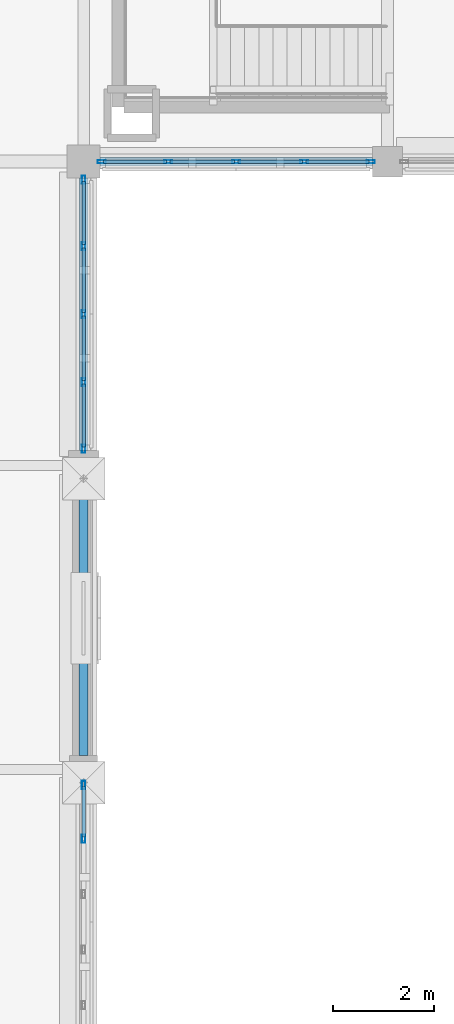
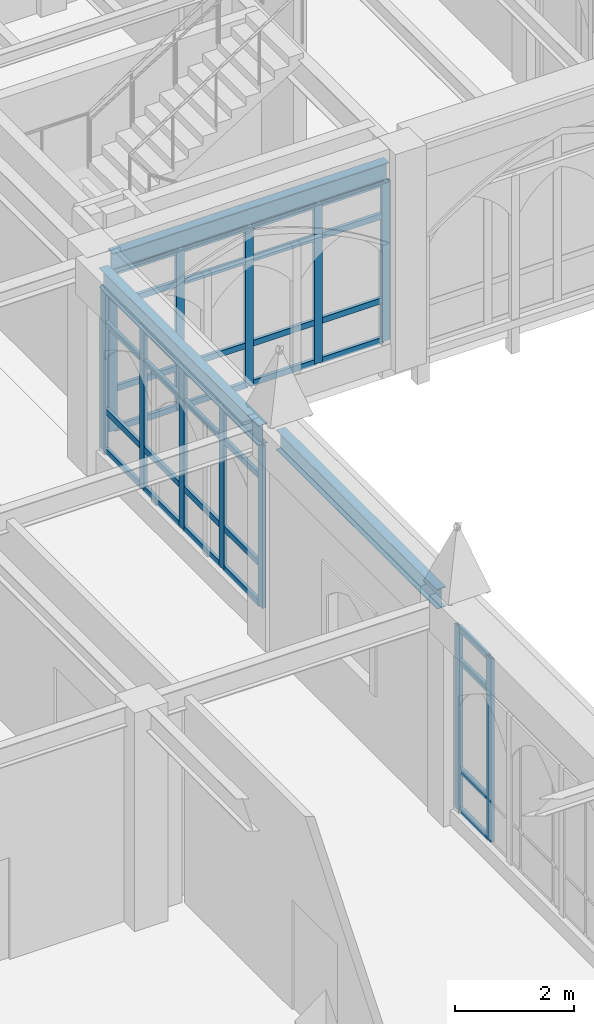
# One storey, part 39 of 143: 48 members, 3 beams, 3 elements without a shape of their own.
"""IFC4 building model written with IfcOpenShell, lengths in metres."""

from ifc_helpers import new_model, si_unit, direction, frame, origin, origin_2d, place, context, subcontext, project, spatial, hollow_rectangle, i_section, extrude, material, layer, layer_set, material_profile, profile_set, type_object, element, aggregate, save


model = new_model("IFC4")

# Units and contexts
model_context = context("Model", 3, precision=1e-05, world=origin(), true_north=direction((0.0, 1.0)))
body_context = subcontext(model_context, "Body", "Model", "MODEL_VIEW")
ifc_project = project(units=[si_unit("LENGTHUNIT", "METRE"), si_unit("AREAUNIT", "SQUARE_METRE"), si_unit("VOLUMEUNIT", "CUBIC_METRE"), si_unit("PLANEANGLEUNIT", "RADIAN"), si_unit("MASSUNIT", "GRAM", prefix="KILO")], contexts=[model_context])

# Site, building, storey
site_placement = place(None, origin())
site = spatial("IfcSite", under=ifc_project, at=site_placement, CompositionType="ELEMENT")
building_placement = place(site_placement, origin())
building = spatial("IfcBuilding", under=site, at=building_placement, Name="Cumevento Cable Car Station", CompositionType="ELEMENT")
storey_placement = place(building_placement, frame((0.0, 0.0, 9.0)))
storey = spatial("IfcBuildingStorey", under=building, at=storey_placement, Name="L03", CompositionType="ELEMENT", Elevation=9.0)

# Curtain wall, members
ifc_material_1 = material(Name="Anodised Bronze Aluminium AW-6063-T6", Category="aluminium")
ifc_layer_1 = layer(ifc_material_1, 0.177978515625)
ifc_layer_set_1 = layer_set([ifc_layer_1], Name="Anodised Bronze Aluminium AW-6063-T6")
curtain_wall_type_1 = type_object("IfcCurtainWallType", Name="Lancet Curtain Wall CW-04 1170", PredefinedType="NOTDEFINED", material=ifc_layer_set_1)
curtain_wall_1_placement = place(storey_placement, origin())
curtain_wall_1 = element("IfcCurtainWall", 1, at=curtain_wall_1_placement, inside=storey, type_object=curtain_wall_type_1, Name="Lancet Curtain Wall CW-04 L03 #83", PredefinedType="NOTDEFINED")
ifc_material_2 = material(Name="Anodised Bronze Aluminium AW-6063-T6", Category="aluminium")
ifc_material_profile_1 = material_profile(ifc_material_2, hollow_rectangle(XDim=0.06494140625, YDim=0.159912109375, WallThickness=0.00390625, at=origin_2d()), Name="ALUM65x160x4")
ifc_profile_set_1 = profile_set([ifc_material_profile_1], Name="Anodised Bronze Aluminium AW-6063-T6")
member_type_1 = type_object("IfcMemberType", Name="Curtain Mullion CWM-01 ALUM65x160x4", PredefinedType="MULLION", material=ifc_profile_set_1)
member_1_placement = place(storey_placement, frame((70.0, 20.6923828125, 0.31005859375), z_axis=(0.0, 0.0, 1.0), x_axis=(1.0, 0.0, 0.0)))
member_1 = element("IfcMember", 2, at=member_1_placement, type_object=member_type_1, Name="CW-04 mullion 1", PredefinedType="MULLION", context=body_context, shape_type="SweptSolid", body=[
    extrude(hollow_rectangle(XDim=0.06494140625, YDim=0.159912109375, WallThickness=0.00390625, at=origin_2d()), origin(), (0.0, 0.0, 1.0), 3.782958984375),
])
member_2_placement = place(storey_placement, frame((70.0, 19.6298828125, 0.31005859375), z_axis=(0.0, 0.0, 1.0), x_axis=(1.0, 0.0, 0.0)))
member_2 = element("IfcMember", 3, at=member_2_placement, type_object=member_type_1, Name="CW-04 mullion 2", PredefinedType="MULLION", context=body_context, shape_type="SweptSolid", body=[
    extrude(hollow_rectangle(XDim=0.06494140625, YDim=0.159912109375, WallThickness=0.00390625, at=origin_2d()), origin(), (0.0, 0.0, 1.0), 3.782958984375),
])

ifc_material_3 = material(Name="Anodised Bronze Aluminium AW-6063-T6", Category="aluminium")
ifc_layer_2 = layer(ifc_material_3, 0.196044921875)
ifc_layer_set_2 = layer_set([ifc_layer_2], Name="Anodised Bronze Aluminium AW-6063-T6")
curtain_wall_type_2 = type_object("IfcCurtainWallType", Name="Lancet Curtain Wall CW-07 1290", PredefinedType="NOTDEFINED", material=ifc_layer_set_2)
curtain_wall_2_placement = place(storey_placement, origin())
curtain_wall_2 = element("IfcCurtainWall", 4, at=curtain_wall_2_placement, inside=storey, type_object=curtain_wall_type_2, Name="Lancet Curtain Wall CW-07 L03 #86", PredefinedType="NOTDEFINED")
member_3_placement = place(storey_placement, frame((70.0, 32.642578125, 0.4599609375), z_axis=(0.0, 0.0, 1.0), x_axis=(1.0, 0.0, 0.0)))
member_3 = element("IfcMember", 5, at=member_3_placement, type_object=member_type_1, Name="CW-07 mullion 1", PredefinedType="MULLION", context=body_context, shape_type="SweptSolid", body=[
    extrude(hollow_rectangle(XDim=0.06494140625, YDim=0.159912109375, WallThickness=0.00390625, at=origin_2d()), origin(), (0.0, 0.0, 1.0), 3.34912109375),
])
member_4_placement = place(storey_placement, frame((70.0, 31.331298828125, 0.4599609375), z_axis=(0.0, 0.0, 1.0), x_axis=(1.0, 0.0, 0.0)))
member_4 = element("IfcMember", 6, at=member_4_placement, type_object=member_type_1, Name="CW-07 mullion 2", PredefinedType="MULLION", context=body_context, shape_type="SweptSolid", body=[
    extrude(hollow_rectangle(XDim=0.06494140625, YDim=0.159912109375, WallThickness=0.00390625, at=origin_2d()), origin(), (0.0, 0.0, 1.0), 3.34912109375),
])
member_5_placement = place(storey_placement, frame((70.0, 29.987548828125, 0.4599609375), z_axis=(0.0, 0.0, 1.0), x_axis=(1.0, 0.0, 0.0)))
member_5 = element("IfcMember", 7, at=member_5_placement, type_object=member_type_1, Name="CW-07 mullion 3", PredefinedType="MULLION", context=body_context, shape_type="SweptSolid", body=[
    extrude(hollow_rectangle(XDim=0.06494140625, YDim=0.159912109375, WallThickness=0.00390625, at=origin_2d()), origin(), (0.0, 0.0, 1.0), 3.34912109375),
])
member_6_placement = place(storey_placement, frame((70.0, 28.643798828125, 0.4599609375), z_axis=(0.0, 0.0, 1.0), x_axis=(1.0, 0.0, 0.0)))
member_6 = element("IfcMember", 8, at=member_6_placement, type_object=member_type_1, Name="CW-07 mullion 4", PredefinedType="MULLION", context=body_context, shape_type="SweptSolid", body=[
    extrude(hollow_rectangle(XDim=0.06494140625, YDim=0.159912109375, WallThickness=0.00390625, at=origin_2d()), origin(), (0.0, 0.0, 1.0), 3.34912109375),
])
member_7_placement = place(storey_placement, frame((70.0, 27.33251953125, 0.4599609375), z_axis=(0.0, 0.0, 1.0), x_axis=(1.0, 0.0, 0.0)))
member_7 = element("IfcMember", 9, at=member_7_placement, type_object=member_type_1, Name="CW-07 mullion 5", PredefinedType="MULLION", context=body_context, shape_type="SweptSolid", body=[
    extrude(hollow_rectangle(XDim=0.06494140625, YDim=0.159912109375, WallThickness=0.00390625, at=origin_2d()), origin(), (0.0, 0.0, 1.0), 3.34912109375),
])

ifc_material_4 = material(Name="Anodised Bronze Aluminium AW-6063-T6", Category="aluminium")
ifc_layer_3 = layer(ifc_material_4, 0.201904296875)
ifc_layer_set_3 = layer_set([ifc_layer_3], Name="Anodised Bronze Aluminium AW-6063-T6")
curtain_wall_type_3 = type_object("IfcCurtainWallType", Name="Lancet Curtain Wall CW-08 1330", PredefinedType="NOTDEFINED", material=ifc_layer_set_3)
curtain_wall_3_placement = place(storey_placement, origin())
curtain_wall_3 = element("IfcCurtainWall", 10, at=curtain_wall_3_placement, inside=storey, type_object=curtain_wall_type_3, Name="Lancet Curtain Wall CW-08 L03 #87", PredefinedType="NOTDEFINED")
member_8_placement = place(storey_placement, frame((75.66748046875, 33.0, 0.52001953125), z_axis=(0.0, 0.0, 1.0), x_axis=(0.0, -1.0, 0.0)))
member_8 = element("IfcMember", 11, at=member_8_placement, type_object=member_type_1, Name="CW-08 mullion 1", PredefinedType="MULLION", context=body_context, shape_type="SweptSolid", body=[
    extrude(hollow_rectangle(XDim=0.06494140625, YDim=0.159912109375, WallThickness=0.00390625, at=origin_2d()), origin(), (0.0, 0.0, 1.0), 3.2890625),
])
member_9_placement = place(storey_placement, frame((74.356201171875, 33.0, 0.52001953125), z_axis=(0.0, 0.0, 1.0), x_axis=(0.0, -1.0, 0.0)))
member_9 = element("IfcMember", 12, at=member_9_placement, type_object=member_type_1, Name="CW-08 mullion 2", PredefinedType="MULLION", context=body_context, shape_type="SweptSolid", body=[
    extrude(hollow_rectangle(XDim=0.06494140625, YDim=0.159912109375, WallThickness=0.00390625, at=origin_2d()), origin(), (0.0, 0.0, 1.0), 3.2890625),
])
member_10_placement = place(storey_placement, frame((73.012451171875, 33.0, 0.52001953125), z_axis=(0.0, 0.0, 1.0), x_axis=(0.0, -1.0, 0.0)))
member_10 = element("IfcMember", 13, at=member_10_placement, type_object=member_type_1, Name="CW-08 mullion 3", PredefinedType="MULLION", context=body_context, shape_type="SweptSolid", body=[
    extrude(hollow_rectangle(XDim=0.06494140625, YDim=0.159912109375, WallThickness=0.00390625, at=origin_2d()), origin(), (0.0, 0.0, 1.0), 3.2890625),
])
member_11_placement = place(storey_placement, frame((71.668701171875, 33.0, 0.52001953125), z_axis=(0.0, 0.0, 1.0), x_axis=(0.0, -1.0, 0.0)))
member_11 = element("IfcMember", 14, at=member_11_placement, type_object=member_type_1, Name="CW-08 mullion 4", PredefinedType="MULLION", context=body_context, shape_type="SweptSolid", body=[
    extrude(hollow_rectangle(XDim=0.06494140625, YDim=0.159912109375, WallThickness=0.00390625, at=origin_2d()), origin(), (0.0, 0.0, 1.0), 3.2890625),
])
member_12_placement = place(storey_placement, frame((70.357421875, 33.0, 0.52001953125), z_axis=(0.0, 0.0, 1.0), x_axis=(0.0, -1.0, 0.0)))
member_12 = element("IfcMember", 15, at=member_12_placement, type_object=member_type_1, Name="CW-08 mullion 5", PredefinedType="MULLION", context=body_context, shape_type="SweptSolid", body=[
    extrude(hollow_rectangle(XDim=0.06494140625, YDim=0.159912109375, WallThickness=0.00390625, at=origin_2d()), origin(), (0.0, 0.0, 1.0), 3.2890625),
])

# Member
ifc_material_5 = material(Name="Anodised Bronze Aluminium AW-6063-T6", Category="aluminium")
ifc_material_profile_2 = material_profile(ifc_material_5, hollow_rectangle(XDim=0.06494140625, YDim=0.1201171875, WallThickness=0.00390625, at=origin_2d()), Name="ALUT65x120x4")
ifc_profile_set_2 = profile_set([ifc_material_profile_2], Name="Anodised Bronze Aluminium AW-6063-T6")
member_type_2 = type_object("IfcMemberType", Name="Curtain Transom CWT-01 ALUT65x120x4", PredefinedType="USERDEFINED", material=ifc_profile_set_2)
member_13_placement = place(storey_placement, frame((70.0, 20.659912109375, 0.342529296875), z_axis=(0.0, -1.0, 0.0), x_axis=(1.0, 0.0, 0.0)))
member_13 = element("IfcMember", 16, at=member_13_placement, type_object=member_type_2, Name="CW-04 transom 1.1", ObjectType="TRANSOM", PredefinedType="USERDEFINED", context=body_context, shape_type="SweptSolid", body=[
    extrude(hollow_rectangle(XDim=0.06494140625, YDim=0.1201171875, WallThickness=0.00390625, at=origin_2d()), origin(), (0.0, 0.0, 1.0), 0.997314453125),
])

member_14_placement = place(storey_placement, frame((70.0, 20.659912109375, 1.159912109375), z_axis=(0.0, -1.0, 0.0), x_axis=(1.0, 0.0, 0.0)))
member_14 = element("IfcMember", 17, at=member_14_placement, type_object=member_type_2, Name="CW-04 transom 1.2", ObjectType="TRANSOM", PredefinedType="USERDEFINED", context=body_context, shape_type="SweptSolid", body=[
    extrude(hollow_rectangle(XDim=0.06494140625, YDim=0.1201171875, WallThickness=0.00390625, at=origin_2d()), origin(), (0.0, 0.0, 1.0), 0.997314453125),
])

member_15_placement = place(storey_placement, frame((70.0, 20.659912109375, 3.39306640625), z_axis=(0.0, -1.0, 0.0), x_axis=(1.0, 0.0, 0.0)))
member_15 = element("IfcMember", 18, at=member_15_placement, type_object=member_type_2, Name="CW-04 transom 1.3", ObjectType="TRANSOM", PredefinedType="USERDEFINED", context=body_context, shape_type="SweptSolid", body=[
    extrude(hollow_rectangle(XDim=0.06494140625, YDim=0.1201171875, WallThickness=0.00390625, at=origin_2d()), origin(), (0.0, 0.0, 1.0), 0.997314453125),
])

member_16_placement = place(storey_placement, frame((70.0, 20.659912109375, 4.060546875), z_axis=(0.0, -1.0, 0.0), x_axis=(1.0, 0.0, 0.0)))
member_16 = element("IfcMember", 19, at=member_16_placement, type_object=member_type_2, Name="CW-04 transom 1.4", ObjectType="TRANSOM", PredefinedType="USERDEFINED", context=body_context, shape_type="SweptSolid", body=[
    extrude(hollow_rectangle(XDim=0.06494140625, YDim=0.1201171875, WallThickness=0.00390625, at=origin_2d()), origin(), (0.0, 0.0, 1.0), 0.997314453125),
])

aggregate(curtain_wall_1, [member_1, member_2, member_13, member_14, member_15, member_16])

member_17_placement = place(storey_placement, frame((70.0, 32.610107421875, 0.492431640625), z_axis=(0.0, -1.0, 0.0), x_axis=(1.0, 0.0, 0.0)))
member_17 = element("IfcMember", 20, at=member_17_placement, type_object=member_type_2, Name="CW-07 transom 1.1", ObjectType="TRANSOM", PredefinedType="USERDEFINED", context=body_context, shape_type="SweptSolid", body=[
    extrude(hollow_rectangle(XDim=0.06494140625, YDim=0.1201171875, WallThickness=0.00390625, at=origin_2d()), origin(), (0.0, 0.0, 1.0), 1.246337890625),
])

member_18_placement = place(storey_placement, frame((70.0, 32.610107421875, 1.31005859375), z_axis=(0.0, -1.0, 0.0), x_axis=(1.0, 0.0, 0.0)))
member_18 = element("IfcMember", 21, at=member_18_placement, type_object=member_type_2, Name="CW-07 transom 1.2", ObjectType="TRANSOM", PredefinedType="USERDEFINED", context=body_context, shape_type="SweptSolid", body=[
    extrude(hollow_rectangle(XDim=0.06494140625, YDim=0.1201171875, WallThickness=0.00390625, at=origin_2d()), origin(), (0.0, 0.0, 1.0), 1.246337890625),
])

member_19_placement = place(storey_placement, frame((70.0, 32.610107421875, 3.10888671875), z_axis=(0.0, -1.0, 0.0), x_axis=(1.0, 0.0, 0.0)))
member_19 = element("IfcMember", 22, at=member_19_placement, type_object=member_type_2, Name="CW-07 transom 1.3", ObjectType="TRANSOM", PredefinedType="USERDEFINED", context=body_context, shape_type="SweptSolid", body=[
    extrude(hollow_rectangle(XDim=0.06494140625, YDim=0.1201171875, WallThickness=0.00390625, at=origin_2d()), origin(), (0.0, 0.0, 1.0), 1.246337890625),
])

member_20_placement = place(storey_placement, frame((70.0, 32.610107421875, 3.776611328125), z_axis=(0.0, -1.0, 0.0), x_axis=(1.0, 0.0, 0.0)))
member_20 = element("IfcMember", 23, at=member_20_placement, type_object=member_type_2, Name="CW-07 transom 1.4", ObjectType="TRANSOM", PredefinedType="USERDEFINED", context=body_context, shape_type="SweptSolid", body=[
    extrude(hollow_rectangle(XDim=0.06494140625, YDim=0.1201171875, WallThickness=0.00390625, at=origin_2d()), origin(), (0.0, 0.0, 1.0), 1.246337890625),
])

member_21_placement = place(storey_placement, frame((70.0, 31.298828125, 0.492431640625), z_axis=(0.0, -1.0, 0.0), x_axis=(1.0, 0.0, 0.0)))
member_21 = element("IfcMember", 24, at=member_21_placement, type_object=member_type_2, Name="CW-07 transom 2.1", ObjectType="TRANSOM", PredefinedType="USERDEFINED", context=body_context, shape_type="SweptSolid", body=[
    extrude(hollow_rectangle(XDim=0.06494140625, YDim=0.1201171875, WallThickness=0.00390625, at=origin_2d()), origin(), (0.0, 0.0, 1.0), 1.27880859375),
])

member_22_placement = place(storey_placement, frame((70.0, 31.298828125, 1.31005859375), z_axis=(0.0, -1.0, 0.0), x_axis=(1.0, 0.0, 0.0)))
member_22 = element("IfcMember", 25, at=member_22_placement, type_object=member_type_2, Name="CW-07 transom 2.2", ObjectType="TRANSOM", PredefinedType="USERDEFINED", context=body_context, shape_type="SweptSolid", body=[
    extrude(hollow_rectangle(XDim=0.06494140625, YDim=0.1201171875, WallThickness=0.00390625, at=origin_2d()), origin(), (0.0, 0.0, 1.0), 1.27880859375),
])

member_23_placement = place(storey_placement, frame((70.0, 31.298828125, 3.10888671875), z_axis=(0.0, -1.0, 0.0), x_axis=(1.0, 0.0, 0.0)))
member_23 = element("IfcMember", 26, at=member_23_placement, type_object=member_type_2, Name="CW-07 transom 2.3", ObjectType="TRANSOM", PredefinedType="USERDEFINED", context=body_context, shape_type="SweptSolid", body=[
    extrude(hollow_rectangle(XDim=0.06494140625, YDim=0.1201171875, WallThickness=0.00390625, at=origin_2d()), origin(), (0.0, 0.0, 1.0), 1.27880859375),
])

member_24_placement = place(storey_placement, frame((70.0, 31.298828125, 3.776611328125), z_axis=(0.0, -1.0, 0.0), x_axis=(1.0, 0.0, 0.0)))
member_24 = element("IfcMember", 27, at=member_24_placement, type_object=member_type_2, Name="CW-07 transom 2.4", ObjectType="TRANSOM", PredefinedType="USERDEFINED", context=body_context, shape_type="SweptSolid", body=[
    extrude(hollow_rectangle(XDim=0.06494140625, YDim=0.1201171875, WallThickness=0.00390625, at=origin_2d()), origin(), (0.0, 0.0, 1.0), 1.27880859375),
])

member_25_placement = place(storey_placement, frame((70.0, 29.955078125, 0.492431640625), z_axis=(0.0, -1.0, 0.0), x_axis=(1.0, 0.0, 0.0)))
member_25 = element("IfcMember", 28, at=member_25_placement, type_object=member_type_2, Name="CW-07 transom 3.1", ObjectType="TRANSOM", PredefinedType="USERDEFINED", context=body_context, shape_type="SweptSolid", body=[
    extrude(hollow_rectangle(XDim=0.06494140625, YDim=0.1201171875, WallThickness=0.00390625, at=origin_2d()), origin(), (0.0, 0.0, 1.0), 1.27880859375),
])

member_26_placement = place(storey_placement, frame((70.0, 29.955078125, 1.31005859375), z_axis=(0.0, -1.0, 0.0), x_axis=(1.0, 0.0, 0.0)))
member_26 = element("IfcMember", 29, at=member_26_placement, type_object=member_type_2, Name="CW-07 transom 3.2", ObjectType="TRANSOM", PredefinedType="USERDEFINED", context=body_context, shape_type="SweptSolid", body=[
    extrude(hollow_rectangle(XDim=0.06494140625, YDim=0.1201171875, WallThickness=0.00390625, at=origin_2d()), origin(), (0.0, 0.0, 1.0), 1.27880859375),
])

member_27_placement = place(storey_placement, frame((70.0, 29.955078125, 3.10888671875), z_axis=(0.0, -1.0, 0.0), x_axis=(1.0, 0.0, 0.0)))
member_27 = element("IfcMember", 30, at=member_27_placement, type_object=member_type_2, Name="CW-07 transom 3.3", ObjectType="TRANSOM", PredefinedType="USERDEFINED", context=body_context, shape_type="SweptSolid", body=[
    extrude(hollow_rectangle(XDim=0.06494140625, YDim=0.1201171875, WallThickness=0.00390625, at=origin_2d()), origin(), (0.0, 0.0, 1.0), 1.27880859375),
])

member_28_placement = place(storey_placement, frame((70.0, 29.955078125, 3.776611328125), z_axis=(0.0, -1.0, 0.0), x_axis=(1.0, 0.0, 0.0)))
member_28 = element("IfcMember", 31, at=member_28_placement, type_object=member_type_2, Name="CW-07 transom 3.4", ObjectType="TRANSOM", PredefinedType="USERDEFINED", context=body_context, shape_type="SweptSolid", body=[
    extrude(hollow_rectangle(XDim=0.06494140625, YDim=0.1201171875, WallThickness=0.00390625, at=origin_2d()), origin(), (0.0, 0.0, 1.0), 1.27880859375),
])

member_29_placement = place(storey_placement, frame((70.0, 28.611328125, 0.492431640625), z_axis=(0.0, -1.0, 0.0), x_axis=(1.0, 0.0, 0.0)))
member_29 = element("IfcMember", 32, at=member_29_placement, type_object=member_type_2, Name="CW-07 transom 4.1", ObjectType="TRANSOM", PredefinedType="USERDEFINED", context=body_context, shape_type="SweptSolid", body=[
    extrude(hollow_rectangle(XDim=0.06494140625, YDim=0.1201171875, WallThickness=0.00390625, at=origin_2d()), origin(), (0.0, 0.0, 1.0), 1.246337890625),
])

member_30_placement = place(storey_placement, frame((70.0, 28.611328125, 1.31005859375), z_axis=(0.0, -1.0, 0.0), x_axis=(1.0, 0.0, 0.0)))
member_30 = element("IfcMember", 33, at=member_30_placement, type_object=member_type_2, Name="CW-07 transom 4.2", ObjectType="TRANSOM", PredefinedType="USERDEFINED", context=body_context, shape_type="SweptSolid", body=[
    extrude(hollow_rectangle(XDim=0.06494140625, YDim=0.1201171875, WallThickness=0.00390625, at=origin_2d()), origin(), (0.0, 0.0, 1.0), 1.246337890625),
])

member_31_placement = place(storey_placement, frame((70.0, 28.611328125, 3.10888671875), z_axis=(0.0, -1.0, 0.0), x_axis=(1.0, 0.0, 0.0)))
member_31 = element("IfcMember", 34, at=member_31_placement, type_object=member_type_2, Name="CW-07 transom 4.3", ObjectType="TRANSOM", PredefinedType="USERDEFINED", context=body_context, shape_type="SweptSolid", body=[
    extrude(hollow_rectangle(XDim=0.06494140625, YDim=0.1201171875, WallThickness=0.00390625, at=origin_2d()), origin(), (0.0, 0.0, 1.0), 1.246337890625),
])

member_32_placement = place(storey_placement, frame((70.0, 28.611328125, 3.776611328125), z_axis=(0.0, -1.0, 0.0), x_axis=(1.0, 0.0, 0.0)))
member_32 = element("IfcMember", 35, at=member_32_placement, type_object=member_type_2, Name="CW-07 transom 4.4", ObjectType="TRANSOM", PredefinedType="USERDEFINED", context=body_context, shape_type="SweptSolid", body=[
    extrude(hollow_rectangle(XDim=0.06494140625, YDim=0.1201171875, WallThickness=0.00390625, at=origin_2d()), origin(), (0.0, 0.0, 1.0), 1.246337890625),
])

aggregate(curtain_wall_2, [member_3, member_4, member_5, member_6, member_7, member_17, member_18, member_19, member_20, member_21, member_22, member_23, member_24, member_25, member_26, member_27, member_28, member_29, member_30, member_31, member_32])

member_33_placement = place(storey_placement, frame((75.635009765625, 33.0, 0.552490234375), z_axis=(-1.0, 0.0, 0.0), x_axis=(0.0, -1.0, 0.0)))
member_33 = element("IfcMember", 36, at=member_33_placement, type_object=member_type_2, Name="CW-08 transom 1.1", ObjectType="TRANSOM", PredefinedType="USERDEFINED", context=body_context, shape_type="SweptSolid", body=[
    extrude(hollow_rectangle(XDim=0.06494140625, YDim=0.1201171875, WallThickness=0.00390625, at=origin_2d()), origin(), (0.0, 0.0, 1.0), 1.246337890625),
])

member_34_placement = place(storey_placement, frame((75.635009765625, 33.0, 1.3701171875), z_axis=(-1.0, 0.0, 0.0), x_axis=(0.0, -1.0, 0.0)))
member_34 = element("IfcMember", 37, at=member_34_placement, type_object=member_type_2, Name="CW-08 transom 1.2", ObjectType="TRANSOM", PredefinedType="USERDEFINED", context=body_context, shape_type="SweptSolid", body=[
    extrude(hollow_rectangle(XDim=0.06494140625, YDim=0.1201171875, WallThickness=0.00390625, at=origin_2d()), origin(), (0.0, 0.0, 1.0), 1.246337890625),
])

member_35_placement = place(storey_placement, frame((75.635009765625, 33.0, 3.10888671875), z_axis=(-1.0, 0.0, 0.0), x_axis=(0.0, -1.0, 0.0)))
member_35 = element("IfcMember", 38, at=member_35_placement, type_object=member_type_2, Name="CW-08 transom 1.3", ObjectType="TRANSOM", PredefinedType="USERDEFINED", context=body_context, shape_type="SweptSolid", body=[
    extrude(hollow_rectangle(XDim=0.06494140625, YDim=0.1201171875, WallThickness=0.00390625, at=origin_2d()), origin(), (0.0, 0.0, 1.0), 1.246337890625),
])

member_36_placement = place(storey_placement, frame((75.635009765625, 33.0, 3.776611328125), z_axis=(-1.0, 0.0, 0.0), x_axis=(0.0, -1.0, 0.0)))
member_36 = element("IfcMember", 39, at=member_36_placement, type_object=member_type_2, Name="CW-08 transom 1.4", ObjectType="TRANSOM", PredefinedType="USERDEFINED", context=body_context, shape_type="SweptSolid", body=[
    extrude(hollow_rectangle(XDim=0.06494140625, YDim=0.1201171875, WallThickness=0.00390625, at=origin_2d()), origin(), (0.0, 0.0, 1.0), 1.246337890625),
])

member_37_placement = place(storey_placement, frame((74.32373046875, 33.0, 0.552490234375), z_axis=(-1.0, 0.0, 0.0), x_axis=(0.0, -1.0, 0.0)))
member_37 = element("IfcMember", 40, at=member_37_placement, type_object=member_type_2, Name="CW-08 transom 2.1", ObjectType="TRANSOM", PredefinedType="USERDEFINED", context=body_context, shape_type="SweptSolid", body=[
    extrude(hollow_rectangle(XDim=0.06494140625, YDim=0.1201171875, WallThickness=0.00390625, at=origin_2d()), origin(), (0.0, 0.0, 1.0), 1.27880859375),
])

member_38_placement = place(storey_placement, frame((74.32373046875, 33.0, 1.3701171875), z_axis=(-1.0, 0.0, 0.0), x_axis=(0.0, -1.0, 0.0)))
member_38 = element("IfcMember", 41, at=member_38_placement, type_object=member_type_2, Name="CW-08 transom 2.2", ObjectType="TRANSOM", PredefinedType="USERDEFINED", context=body_context, shape_type="SweptSolid", body=[
    extrude(hollow_rectangle(XDim=0.06494140625, YDim=0.1201171875, WallThickness=0.00390625, at=origin_2d()), origin(), (0.0, 0.0, 1.0), 1.27880859375),
])

member_39_placement = place(storey_placement, frame((74.32373046875, 33.0, 3.10888671875), z_axis=(-1.0, 0.0, 0.0), x_axis=(0.0, -1.0, 0.0)))
member_39 = element("IfcMember", 42, at=member_39_placement, type_object=member_type_2, Name="CW-08 transom 2.3", ObjectType="TRANSOM", PredefinedType="USERDEFINED", context=body_context, shape_type="SweptSolid", body=[
    extrude(hollow_rectangle(XDim=0.06494140625, YDim=0.1201171875, WallThickness=0.00390625, at=origin_2d()), origin(), (0.0, 0.0, 1.0), 1.27880859375),
])

member_40_placement = place(storey_placement, frame((74.32373046875, 33.0, 3.776611328125), z_axis=(-1.0, 0.0, 0.0), x_axis=(0.0, -1.0, 0.0)))
member_40 = element("IfcMember", 43, at=member_40_placement, type_object=member_type_2, Name="CW-08 transom 2.4", ObjectType="TRANSOM", PredefinedType="USERDEFINED", context=body_context, shape_type="SweptSolid", body=[
    extrude(hollow_rectangle(XDim=0.06494140625, YDim=0.1201171875, WallThickness=0.00390625, at=origin_2d()), origin(), (0.0, 0.0, 1.0), 1.27880859375),
])

member_41_placement = place(storey_placement, frame((72.97998046875, 33.0, 0.552490234375), z_axis=(-1.0, 0.0, 0.0), x_axis=(0.0, -1.0, 0.0)))
member_41 = element("IfcMember", 44, at=member_41_placement, type_object=member_type_2, Name="CW-08 transom 3.1", ObjectType="TRANSOM", PredefinedType="USERDEFINED", context=body_context, shape_type="SweptSolid", body=[
    extrude(hollow_rectangle(XDim=0.06494140625, YDim=0.1201171875, WallThickness=0.00390625, at=origin_2d()), origin(), (0.0, 0.0, 1.0), 1.27880859375),
])

member_42_placement = place(storey_placement, frame((72.97998046875, 33.0, 1.3701171875), z_axis=(-1.0, 0.0, 0.0), x_axis=(0.0, -1.0, 0.0)))
member_42 = element("IfcMember", 45, at=member_42_placement, type_object=member_type_2, Name="CW-08 transom 3.2", ObjectType="TRANSOM", PredefinedType="USERDEFINED", context=body_context, shape_type="SweptSolid", body=[
    extrude(hollow_rectangle(XDim=0.06494140625, YDim=0.1201171875, WallThickness=0.00390625, at=origin_2d()), origin(), (0.0, 0.0, 1.0), 1.27880859375),
])

member_43_placement = place(storey_placement, frame((72.97998046875, 33.0, 3.10888671875), z_axis=(-1.0, 0.0, 0.0), x_axis=(0.0, -1.0, 0.0)))
member_43 = element("IfcMember", 46, at=member_43_placement, type_object=member_type_2, Name="CW-08 transom 3.3", ObjectType="TRANSOM", PredefinedType="USERDEFINED", context=body_context, shape_type="SweptSolid", body=[
    extrude(hollow_rectangle(XDim=0.06494140625, YDim=0.1201171875, WallThickness=0.00390625, at=origin_2d()), origin(), (0.0, 0.0, 1.0), 1.27880859375),
])

member_44_placement = place(storey_placement, frame((72.97998046875, 33.0, 3.776611328125), z_axis=(-1.0, 0.0, 0.0), x_axis=(0.0, -1.0, 0.0)))
member_44 = element("IfcMember", 47, at=member_44_placement, type_object=member_type_2, Name="CW-08 transom 3.4", ObjectType="TRANSOM", PredefinedType="USERDEFINED", context=body_context, shape_type="SweptSolid", body=[
    extrude(hollow_rectangle(XDim=0.06494140625, YDim=0.1201171875, WallThickness=0.00390625, at=origin_2d()), origin(), (0.0, 0.0, 1.0), 1.27880859375),
])

member_45_placement = place(storey_placement, frame((71.63623046875, 33.0, 0.552490234375), z_axis=(-1.0, 0.0, 0.0), x_axis=(0.0, -1.0, 0.0)))
member_45 = element("IfcMember", 48, at=member_45_placement, type_object=member_type_2, Name="CW-08 transom 4.1", ObjectType="TRANSOM", PredefinedType="USERDEFINED", context=body_context, shape_type="SweptSolid", body=[
    extrude(hollow_rectangle(XDim=0.06494140625, YDim=0.1201171875, WallThickness=0.00390625, at=origin_2d()), origin(), (0.0, 0.0, 1.0), 1.246337890625),
])

member_46_placement = place(storey_placement, frame((71.63623046875, 33.0, 1.3701171875), z_axis=(-1.0, 0.0, 0.0), x_axis=(0.0, -1.0, 0.0)))
member_46 = element("IfcMember", 49, at=member_46_placement, type_object=member_type_2, Name="CW-08 transom 4.2", ObjectType="TRANSOM", PredefinedType="USERDEFINED", context=body_context, shape_type="SweptSolid", body=[
    extrude(hollow_rectangle(XDim=0.06494140625, YDim=0.1201171875, WallThickness=0.00390625, at=origin_2d()), origin(), (0.0, 0.0, 1.0), 1.246337890625),
])

member_47_placement = place(storey_placement, frame((71.63623046875, 33.0, 3.10888671875), z_axis=(-1.0, 0.0, 0.0), x_axis=(0.0, -1.0, 0.0)))
member_47 = element("IfcMember", 50, at=member_47_placement, type_object=member_type_2, Name="CW-08 transom 4.3", ObjectType="TRANSOM", PredefinedType="USERDEFINED", context=body_context, shape_type="SweptSolid", body=[
    extrude(hollow_rectangle(XDim=0.06494140625, YDim=0.1201171875, WallThickness=0.00390625, at=origin_2d()), origin(), (0.0, 0.0, 1.0), 1.246337890625),
])

member_48_placement = place(storey_placement, frame((71.63623046875, 33.0, 3.776611328125), z_axis=(-1.0, 0.0, 0.0), x_axis=(0.0, -1.0, 0.0)))
member_48 = element("IfcMember", 51, at=member_48_placement, type_object=member_type_2, Name="CW-08 transom 4.4", ObjectType="TRANSOM", PredefinedType="USERDEFINED", context=body_context, shape_type="SweptSolid", body=[
    extrude(hollow_rectangle(XDim=0.06494140625, YDim=0.1201171875, WallThickness=0.00390625, at=origin_2d()), origin(), (0.0, 0.0, 1.0), 1.246337890625),
])

aggregate(curtain_wall_3, [member_8, member_9, member_10, member_11, member_12, member_33, member_34, member_35, member_36, member_37, member_38, member_39, member_40, member_41, member_42, member_43, member_44, member_45, member_46, member_47, member_48])

# Beams
ifc_material_6 = material(Name="Steel ASTM A572 Grade 50", Category="steel")
ifc_material_profile_3 = material_profile(ifc_material_6, i_section(OverallWidth=0.177978515625, OverallDepth=0.406982421875, WebThickness=0.0078125, FlangeThickness=0.0126953125, at=origin_2d()), Name="W410x60.0")
ifc_profile_set_3 = profile_set([ifc_material_profile_3], Name="Steel ASTM A572 Grade 50")
beam_type = type_object("IfcBeamType", Name="Structural Spandrel SP-01 W410x60.0", PredefinedType="SPANDREL", material=ifc_profile_set_3)
beam_placement = place(storey_placement, frame((70.0, 21.27490234375, 4.29638671875), z_axis=(0.0, 1.0, 0.0), x_axis=(-1.0, 0.0, 0.0)))
element("IfcBeam", 52, at=beam_placement, inside=storey, type_object=beam_type, Name="Beam SP-01 L03 #986", PredefinedType="SPANDREL", context=body_context, shape_type="SweptSolid", body=[
    extrude(i_section(OverallWidth=0.177978515625, OverallDepth=0.406982421875, WebThickness=0.0078125, FlangeThickness=0.0126953125, at=origin_2d()), origin(), (0.0, 0.0, 1.0), 5.425048828125),
])
for number, where, z_axis, x_axis, name in (
    (53, (70.0, 27.300048828125, 4.012451171875), (0.0, 1.0, 0.0), (-1.0, 0.0, 0.0), "Beam SP-01 L03 #987"),
    (54, (70.324951171875, 33.0, 4.012451171875), (1.0, 0.0, 0.0), (0.0, 1.0, 0.0), "Beam SP-01 L03 #994"),
):
    element("IfcBeam", number, at=place(storey_placement, frame(where, z_axis=z_axis, x_axis=x_axis)), inside=storey, type_object=beam_type, Name=name, PredefinedType="SPANDREL", context=body_context, shape_type="SweptSolid", body=[
        extrude(i_section(OverallWidth=0.177978515625, OverallDepth=0.406982421875, WebThickness=0.0078125, FlangeThickness=0.0126953125, at=origin_2d()), origin(), (0.0, 0.0, 1.0), 5.375),
    ])

save(model, "model.ifc")
